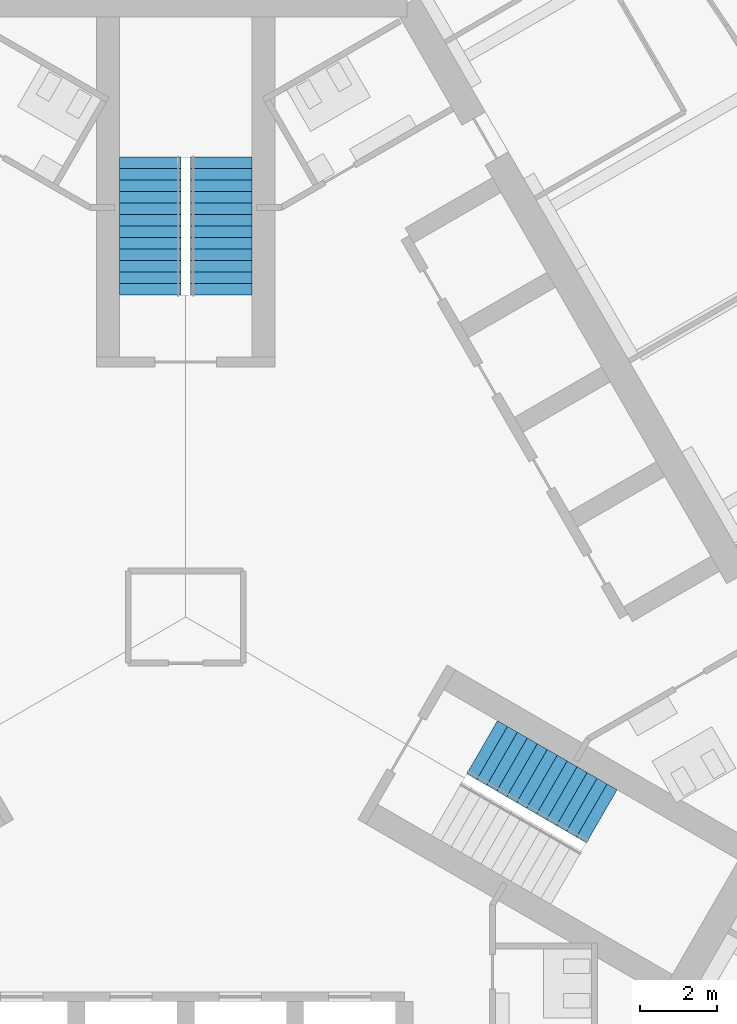
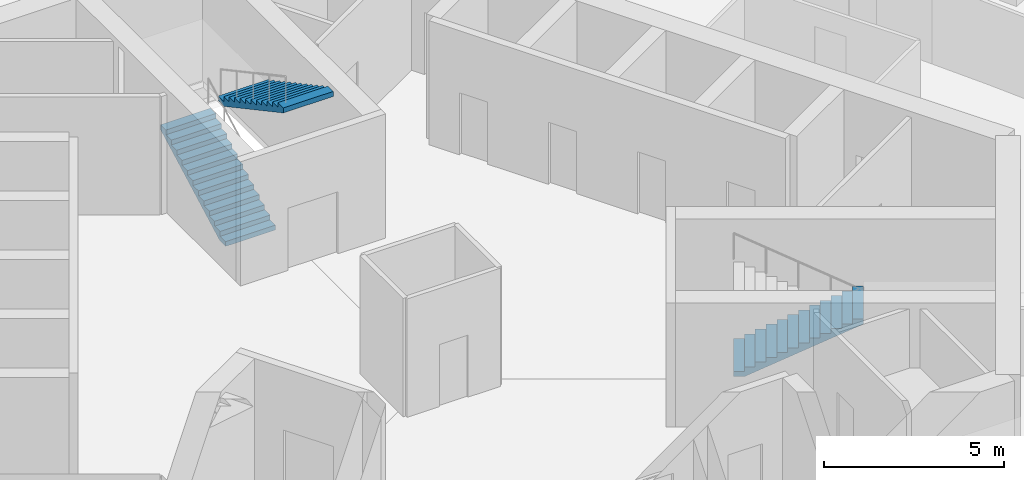
# One storey, part 14 of 19: 3 stair flights, 2 elements without a shape of their own.
"""IFC4 building model written with IfcOpenShell, lengths in metres."""

import ifcopenshell
import ifcopenshell.guid

model = None  # the IFC model being written
_history = None  # IfcOwnerHistory: only IFC2X3 demands one
_inside = {}  # id of a spatial element -> (the spatial element, [elements in it])
_under = {}  # id of a project, library or spatial element -> (it, [spatial elements below it])
_declared = {}  # id of a project -> (the project, [libraries it declares])
_typed = {}  # id of a type object -> (the type object, [elements of that type])
_made_of = {}  # id of a material, layer set ... -> (it, [elements and type objects made of it])


def new_model(schema):
    """Start an empty IFC model of exactly this schema.

    Asked for "IFC4X3", IfcOpenShell would pick the latest addendum, in which some entities
    have other attributes; the version numbers below select the first issue.
    IFC2X3 requires an IfcOwnerHistory on every rooted entity: one is made here for all.
    """
    global model, _history
    if schema == "IFC4X3":
        model = ifcopenshell.file(schema_version=(4, 3, 0, 0))
    else:
        model = ifcopenshell.file(schema=schema)
    _inside.clear()
    _under.clear()
    _declared.clear()
    _typed.clear()
    _made_of.clear()
    _history = None
    if model.schema == "IFC2X3":
        org = make("IfcOrganization", Name="unknown")
        user = make(
            "IfcPersonAndOrganization",
            ThePerson=make("IfcPerson", FamilyName="unknown"),
            TheOrganization=org,
        )
        app = make(
            "IfcApplication",
            ApplicationDeveloper=org,
            Version="unknown",
            ApplicationFullName="unknown",
            ApplicationIdentifier="unknown",
        )
        _history = make(
            "IfcOwnerHistory",
            OwningUser=user,
            OwningApplication=app,
            ChangeAction="ADDED",
            CreationDate=0,
        )
    return model


def make(cls, **values):
    """One entity of the class cls with the attributes given. An attribute that is None is left unset."""
    return model.create_entity(
        cls, **{name: value for name, value in values.items() if value is not None}
    )


def rooted(cls, **values):
    """An entity with a GlobalId (a new one), such as an element, a storey or a relation."""
    return make(cls, GlobalId=ifcopenshell.guid.new(), OwnerHistory=_history, **values)


def si_unit(unit_type, name, prefix=None):
    """IfcSIUnit, for example si_unit("LENGTHUNIT", "METRE", prefix="MILLI")."""
    return make("IfcSIUnit", UnitType=unit_type, Prefix=prefix, Name=name)


def assignment(units):
    """IfcUnitAssignment: the units of a project."""
    return None if units is None else make("IfcUnitAssignment", Units=units)


def point(xyz):
    """IfcCartesianPoint."""
    return None if xyz is None else make("IfcCartesianPoint", Coordinates=xyz)


def direction(xyz):
    """IfcDirection."""
    return None if xyz is None else make("IfcDirection", DirectionRatios=xyz)


def frame(location, z_axis=None, x_axis=None):
    """IfcAxis2Placement3D, a coordinate frame: its origin and axes. An axis left out is left unset."""
    return make(
        "IfcAxis2Placement3D",
        Location=point(location),
        Axis=direction(z_axis),
        RefDirection=direction(x_axis),
    )


def origin():
    """The frame at (0, 0, 0) with its axes left unset."""
    return frame((0.0, 0.0, 0.0))


def place(relative_to, where):
    """IfcLocalPlacement: puts the frame where relative to a parent placement (None: the world)."""
    return make(
        "IfcLocalPlacement", PlacementRelTo=relative_to, RelativePlacement=where
    )


def context(
    kind, dimensions, precision=None, world=None, true_north=None, identifier=None
):
    """IfcGeometricRepresentationContext, for example the 3D "Model" context."""
    return make(
        "IfcGeometricRepresentationContext",
        ContextIdentifier=identifier,
        ContextType=kind,
        CoordinateSpaceDimension=dimensions,
        Precision=precision,
        WorldCoordinateSystem=world,
        TrueNorth=true_north,
    )


def subcontext(parent, identifier, kind, view, scale=None):
    """IfcGeometricRepresentationSubContext, for example "Body" below "Model"."""
    return make(
        "IfcGeometricRepresentationSubContext",
        ContextIdentifier=identifier,
        ContextType=kind,
        ParentContext=parent,
        TargetScale=scale,
        TargetView=view,
    )


def project(units=None, contexts=None):
    """IfcProject with its units and contexts."""
    return rooted(
        "IfcProject",
        Name="project",
        RepresentationContexts=contexts,
        UnitsInContext=assignment(units),
    )


def spatial(cls, under=None, at=None, **own):
    """A site, building, storey or space (cls), placed at a placement, below another one or the project."""
    s = rooted(cls, ObjectPlacement=at, **own)
    if under is not None:
        _under.setdefault(under.id(), (under, []))[1].append(s)
    return s


def polyline(points):
    """IfcPolyline through the points."""
    return make("IfcPolyline", Points=[point(p) for p in points])


def outline(outer, holes=None, kind="AREA"):
    """IfcArbitraryClosedProfileDef: a profile drawn as a closed curve; with holes, ...WithVoids."""
    if holes is None:
        return make("IfcArbitraryClosedProfileDef", ProfileType=kind, OuterCurve=outer)
    return make(
        "IfcArbitraryProfileDefWithVoids",
        ProfileType=kind,
        OuterCurve=outer,
        InnerCurves=holes,
    )


def extrude(swept, where, along, depth):
    """IfcExtrudedAreaSolid: the profile swept, set in the frame where, extruded along a direction by depth."""
    return make(
        "IfcExtrudedAreaSolid",
        SweptArea=swept,
        Position=where,
        ExtrudedDirection=direction(along),
        Depth=depth,
    )


def shape(context_of_items, identifier, shape_type, items):
    """IfcShapeRepresentation: the items that make up one representation, for example the "Body"."""
    return make(
        "IfcShapeRepresentation",
        ContextOfItems=context_of_items,
        RepresentationIdentifier=identifier,
        RepresentationType=shape_type,
        Items=items,
    )


def material(Name=None, Category=None):
    """IfcMaterial."""
    return make("IfcMaterial", Name=Name, Category=Category)


def made_of(thing, what):
    """Note that an element or type object is made of a material, layer set ...; save() writes the relation."""
    if what is not None:
        _made_of.setdefault(what.id(), (what, []))[1].append(thing)
    return thing


def type_object(cls, material=None, **own):
    """A type object (cls), such as IfcWallType, which elements share."""
    return made_of(rooted(cls, **own), material)


def element(
    cls,
    number,
    at=None,
    inside=None,
    cuts=None,
    type_object=None,
    material=None,
    context=None,
    identifier="Body",
    shape_type=None,
    held_by="IfcProductDefinitionShape",
    body=None,
    shapes=None,
    **own,
):
    """One element of the class cls, such as IfcWall. Its Tag is "e" and its number.

    at: its placement. inside: the storey or other place that contains it. cuts: it is an
    opening in that element (IfcRelVoidsElement). A single representation is given by context,
    identifier, shape_type and body (its items); several are given by shapes. held_by: the class
    of the entity that holds the representations. save() writes the other relations.
    """
    e = rooted(cls, Tag="e%d" % number, ObjectPlacement=at, **own)
    if body is not None:
        shapes = [shape(context, identifier, shape_type, body)]
    if shapes is not None:
        e.Representation = make(held_by, Representations=shapes)
    if inside is not None:
        _inside.setdefault(inside.id(), (inside, []))[1].append(e)
    if cuts is not None:
        rooted(
            "IfcRelVoidsElement", RelatingBuildingElement=cuts, RelatedOpeningElement=e
        )
    if type_object is not None:
        _typed.setdefault(type_object.id(), (type_object, []))[1].append(e)
    return made_of(e, material)


def aggregate(whole, parts):
    """IfcRelAggregates: a whole, such as a stair, and the parts it consists of."""
    return rooted("IfcRelAggregates", RelatingObject=whole, RelatedObjects=parts)


def save(model, path):
    """Write the relations noted so far, then the file.

    IfcRelAggregates (storeys below a building ...), IfcRelContainedInSpatialStructure (elements
    in a storey), IfcRelDefinesByType, IfcRelAssociatesMaterial and IfcRelDeclares: one each for
    every whole, place, type object, material and project.
    """
    for whole, parts in _under.values():
        aggregate(whole, parts)
    for where, things in _inside.values():
        rooted(
            "IfcRelContainedInSpatialStructure",
            RelatedElements=things,
            RelatingStructure=where,
        )
    for kind, things in _typed.values():
        rooted("IfcRelDefinesByType", RelatedObjects=things, RelatingType=kind)
    for what, things in _made_of.values():
        rooted("IfcRelAssociatesMaterial", RelatedObjects=things, RelatingMaterial=what)
    for by, libraries in _declared.values():
        rooted("IfcRelDeclares", RelatingContext=by, RelatedDefinitions=libraries)
    model.write(path)


model = new_model("IFC4")

# Units and contexts
model_context = context("Model", 3, precision=1e-05, world=origin(), true_north=direction((0.0, 1.0)))
body_context = subcontext(model_context, "Body", "Model", "MODEL_VIEW")
ifc_project = project(units=[si_unit("LENGTHUNIT", "METRE"), si_unit("AREAUNIT", "SQUARE_METRE"), si_unit("VOLUMEUNIT", "CUBIC_METRE"), si_unit("PLANEANGLEUNIT", "RADIAN"), si_unit("MASSUNIT", "GRAM", prefix="KILO")], contexts=[model_context])

# Site, building, storey
site_placement = place(None, origin())
site = spatial("IfcSite", under=ifc_project, at=site_placement, CompositionType="ELEMENT")
building_placement = place(site_placement, origin())
building = spatial("IfcBuilding", under=site, at=building_placement, Name="Trefoil Bronze Tower", CompositionType="ELEMENT")
storey_placement = place(building_placement, frame((0.0, 0.0, 256.89990234375)))
storey = spatial("IfcBuildingStorey", under=building, at=storey_placement, Name="L59", CompositionType="ELEMENT", Elevation=256.89990234375)

# Stair, stair flight
ifc_material_1 = material(Name="Precast concrete B80", Category="concrete")
stair_type = type_object("IfcStairType", Name="Exit stair 26 risers", PredefinedType="HALF_TURN_STAIR", material=ifc_material_1)
stair_1_placement = place(storey_placement, origin())
stair_1 = element("IfcStair", 1, at=stair_1_placement, inside=storey, type_object=stair_type, Name="Stair ST1 L59", PredefinedType="HALF_TURN_STAIR")
ifc_material_2 = material(Name="Precast concrete B80", Category="concrete")
stair_flight_type = type_object("IfcStairFlightType", Name="Stair flight 1600", PredefinedType="STRAIGHT", material=ifc_material_2)
stair_flight_1_placement = place(storey_placement, frame((7.728515625, -3.39404296875, 0.0), z_axis=(0.0, 0.0, 1.0), x_axis=(0.866025403784, -0.5, 0.0)))
stair_flight_1 = element("IfcStairFlight", 2, at=stair_flight_1_placement, type_object=stair_flight_type, Name="ST1 flight 1", NumberOfRisers=13, NumberOfTreads=12, PredefinedType="STRAIGHT", RiserHeight=0.161538462, TreadLength=0.3, context=body_context, shape_type="SweptSolid", body=[
    extrude(outline(polyline([(0.0, 0.0), (0.0, 0.16162109375), (0.300048828125, 0.16162109375), (0.300048828125, 0.322998046875), (0.60009765625, 0.322998046875), (0.60009765625, 0.484619140625), (0.89990234375, 0.484619140625), (0.89990234375, 0.646240234375), (1.199951171875, 0.646240234375), (1.199951171875, 0.8076171875), (1.5, 0.8076171875), (1.5, 0.96923828125), (1.800048828125, 0.96923828125), (1.800048828125, 1.130859375), (2.10009765625, 1.130859375), (2.10009765625, 1.292236328125), (2.39990234375, 1.292236328125), (2.39990234375, 1.453857421875), (2.699951171875, 1.453857421875), (2.699951171875, 1.615478515625), (3.0, 1.615478515625), (3.0, 1.77685546875), (3.300048828125, 1.77685546875), (3.300048828125, 1.9384765625), (3.60009765625, 1.9384765625), (3.60009765625, 2.10009765625), (3.60009765625, 1.768310546875), (0.316162109375, 0.0), (0.0, 0.0)])), frame((0.0, 0.800048828125, 0.0), z_axis=(0.0, -1.0, 0.0), x_axis=(1.0, 0.0, 0.0)), (0.0, 0.0, 1.0), 1.60009765625),
])
aggregate(stair_1, [stair_flight_1])

# Stair, stair flights
stair_2_placement = place(storey_placement, origin())
stair_2 = element("IfcStair", 3, at=stair_2_placement, inside=storey, type_object=stair_type, Name="Stair ST2 L59", PredefinedType="HALF_TURN_STAIR")
stair_flight_2_placement = place(storey_placement, frame((-0.925048828125, 8.389892578125, 0.0), z_axis=(0.0, 0.0, 1.0), x_axis=(0.0, 1.0, 0.0)))
stair_flight_2 = element("IfcStairFlight", 4, at=stair_flight_2_placement, type_object=stair_flight_type, Name="ST2 flight 1", NumberOfRisers=13, NumberOfTreads=12, PredefinedType="STRAIGHT", RiserHeight=0.161538462, TreadLength=0.3, context=body_context, shape_type="SweptSolid", body=[
    extrude(outline(polyline([(0.0, 0.0), (0.0, 0.16162109375), (0.300048828125, 0.16162109375), (0.300048828125, 0.322998046875), (0.60009765625, 0.322998046875), (0.60009765625, 0.484619140625), (0.89990234375, 0.484619140625), (0.89990234375, 0.646240234375), (1.199951171875, 0.646240234375), (1.199951171875, 0.8076171875), (1.5, 0.8076171875), (1.5, 0.96923828125), (1.800048828125, 0.96923828125), (1.800048828125, 1.130859375), (2.10009765625, 1.130859375), (2.10009765625, 1.292236328125), (2.39990234375, 1.292236328125), (2.39990234375, 1.453857421875), (2.699951171875, 1.453857421875), (2.699951171875, 1.615478515625), (3.0, 1.615478515625), (3.0, 1.77685546875), (3.300048828125, 1.77685546875), (3.300048828125, 1.9384765625), (3.60009765625, 1.9384765625), (3.60009765625, 2.10009765625), (3.60009765625, 1.768310546875), (0.316162109375, 0.0), (0.0, 0.0)])), frame((0.0, 0.800048828125, 0.0), z_axis=(0.0, -1.0, 0.0), x_axis=(1.0, 0.0, 0.0)), (0.0, 0.0, 1.0), 1.60009765625),
])
stair_flight_3_placement = place(storey_placement, frame((0.925048828125, 11.989990234375, 2.10009765625), z_axis=(0.0, 0.0, 1.0), x_axis=(0.0, -1.0, 0.0)))
stair_flight_3 = element("IfcStairFlight", 5, at=stair_flight_3_placement, type_object=stair_flight_type, Name="ST2 flight 2", NumberOfRisers=13, NumberOfTreads=12, PredefinedType="STRAIGHT", RiserHeight=0.161538462, TreadLength=0.3, context=body_context, shape_type="SweptSolid", body=[
    extrude(outline(polyline([(0.0, 0.0), (0.0, 0.16162109375), (0.300048828125, 0.16162109375), (0.300048828125, 0.322998046875), (0.60009765625, 0.322998046875), (0.60009765625, 0.484619140625), (0.89990234375, 0.484619140625), (0.89990234375, 0.646240234375), (1.199951171875, 0.646240234375), (1.199951171875, 0.8076171875), (1.5, 0.8076171875), (1.5, 0.96923828125), (1.800048828125, 0.96923828125), (1.800048828125, 1.130859375), (2.10009765625, 1.130859375), (2.10009765625, 1.292236328125), (2.39990234375, 1.292236328125), (2.39990234375, 1.453857421875), (2.699951171875, 1.453857421875), (2.699951171875, 1.615478515625), (3.0, 1.615478515625), (3.0, 1.77685546875), (3.300048828125, 1.77685546875), (3.300048828125, 1.9384765625), (3.60009765625, 1.9384765625), (3.60009765625, 2.10009765625), (3.60009765625, 1.768310546875), (0.316162109375, 0.0), (0.0, 0.0)])), frame((0.0, 0.800048828125, 0.0), z_axis=(0.0, -1.0, 0.0), x_axis=(1.0, 0.0, 0.0)), (0.0, 0.0, 1.0), 1.60009765625),
])
aggregate(stair_2, [stair_flight_2, stair_flight_3])

save(model, "model.ifc")
